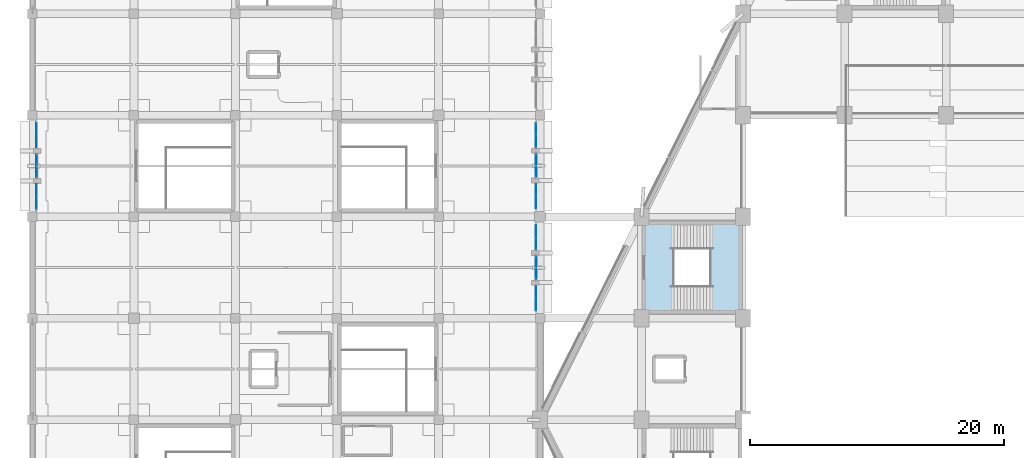
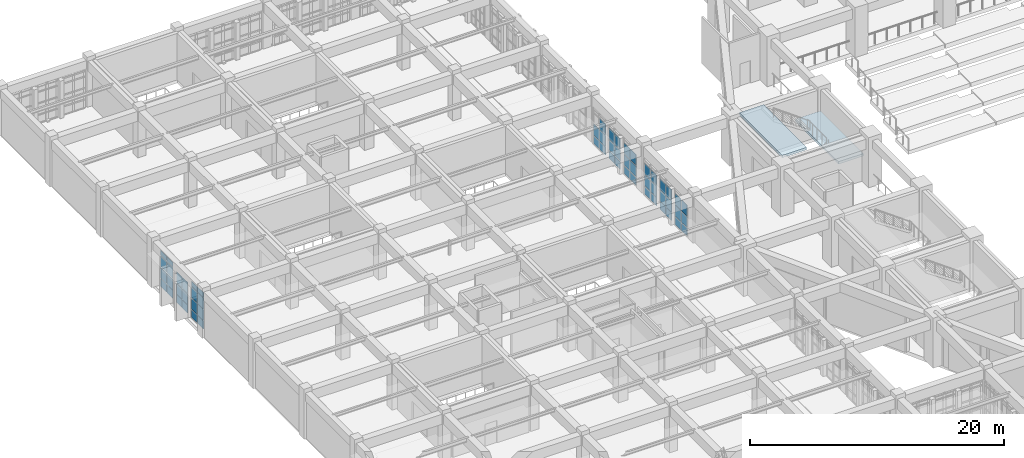
# One storey, part 99 of 155: 57 plates, 2 slabs, 10 elements without a shape of their own.
"""IFC4 building model written with IfcOpenShell, lengths in metres."""

from ifc_helpers import new_model, si_unit, direction, frame, origin, origin_2d, place, context, subcontext, project, spatial, polyline, rectangle, outline, extrude, material, layer, layer_set, type_object, element, aggregate, save


model = new_model("IFC4")

# Units and contexts
model_context = context("Model", 3, precision=1e-05, world=origin(), true_north=direction((0.0, 1.0)))
body_context = subcontext(model_context, "Body", "Model", "MODEL_VIEW")
ifc_project = project(units=[si_unit("LENGTHUNIT", "METRE"), si_unit("AREAUNIT", "SQUARE_METRE"), si_unit("VOLUMEUNIT", "CUBIC_METRE"), si_unit("PLANEANGLEUNIT", "RADIAN"), si_unit("MASSUNIT", "GRAM", prefix="KILO")], contexts=[model_context])

# Site, building, storey
site_placement = place(None, origin())
site = spatial("IfcSite", under=ifc_project, at=site_placement, CompositionType="ELEMENT")
building_placement = place(site_placement, origin())
building = spatial("IfcBuilding", under=site, at=building_placement, Name="Tazarka Park Arena", CompositionType="ELEMENT")
storey_placement = place(building_placement, frame((0.0, 0.0, 5.39990234375)))
storey = spatial("IfcBuildingStorey", under=building, at=storey_placement, Name="L01", CompositionType="ELEMENT", Elevation=5.39990234375)

# Curtain wall, plates
ifc_material_1 = material(Name="Aluminium and low-e glass", Category="aluminium")
ifc_layer_1 = layer(ifc_material_1, 0.179931640625, Name="Aluminium and low-e glass")
ifc_layer_set_1 = layer_set([ifc_layer_1], Name="Aluminium and low-e glass")
curtain_wall_type_1 = type_object("IfcCurtainWallType", Name="CW-21", PredefinedType="NOTDEFINED", material=ifc_layer_set_1)
curtain_wall_1_placement = place(storey_placement, origin())
curtain_wall_1 = element("IfcCurtainWall", 1, at=curtain_wall_1_placement, inside=storey, type_object=curtain_wall_type_1, Name="Curtain Wall CWA-L01-111", PredefinedType="NOTDEFINED")
ifc_material_2 = material(Name="Double low-e insulated glazing", Category="glass")
ifc_layer_2 = layer(ifc_material_2, 0.028076171875, Name="Double low-e insulated glazing")
ifc_layer_set_2 = layer_set([ifc_layer_2], Name="Double low-e insulated glazing")
plate_type_1 = type_object("IfcPlateType", Name="CWP-01", PredefinedType="CURTAIN_PANEL", material=ifc_layer_set_2)
plate_1_placement = place(storey_placement, frame((39.679931640625, 74.066162109375, 0.065185546875), z_axis=(0.0, 0.0, 1.0), x_axis=(0.0, -1.0, 0.0)))
plate_1 = element("IfcPlate", 2, at=plate_1_placement, type_object=plate_type_1, Name="CW-21 panel 1.1", PredefinedType="CURTAIN_PANEL", context=body_context, shape_type="SweptSolid", body=[
    extrude(rectangle(XDim=0.9208984375, YDim=0.028076171875, at=origin_2d()), origin(), (0.0, 0.0, 1.0), 0.75244140625),
])
plate_2_placement = place(storey_placement, frame((39.679931640625, 74.066162109375, 0.8828125), z_axis=(0.0, 0.0, 1.0), x_axis=(0.0, -1.0, 0.0)))
plate_2 = element("IfcPlate", 3, at=plate_2_placement, type_object=plate_type_1, Name="CW-21 panel 1.2", PredefinedType="CURTAIN_PANEL", context=body_context, shape_type="SweptSolid", body=[
    extrude(rectangle(XDim=0.9208984375, YDim=0.028076171875, at=origin_2d()), origin(), (0.0, 0.0, 1.0), 1.034912109375),
])
plate_3_placement = place(storey_placement, frame((39.679931640625, 74.066162109375, 1.982421875), z_axis=(0.0, 0.0, 1.0), x_axis=(0.0, -1.0, 0.0)))
plate_3 = element("IfcPlate", 4, at=plate_3_placement, type_object=plate_type_1, Name="CW-21 panel 1.3", PredefinedType="CURTAIN_PANEL", context=body_context, shape_type="SweptSolid", body=[
    extrude(rectangle(XDim=0.9208984375, YDim=0.028076171875, at=origin_2d()), origin(), (0.0, 0.0, 1.0), 1.034912109375),
])
plate_4_placement = place(storey_placement, frame((39.679931640625, 73.080322265625, 0.065185546875), z_axis=(0.0, 0.0, 1.0), x_axis=(0.0, -1.0, 0.0)))
plate_4 = element("IfcPlate", 5, at=plate_4_placement, type_object=plate_type_1, Name="CW-21 panel 2.1", PredefinedType="CURTAIN_PANEL", context=body_context, shape_type="SweptSolid", body=[
    extrude(rectangle(XDim=0.9208984375, YDim=0.028076171875, at=origin_2d()), origin(), (0.0, 0.0, 1.0), 0.75244140625),
])
plate_5_placement = place(storey_placement, frame((39.679931640625, 73.080322265625, 0.8828125), z_axis=(0.0, 0.0, 1.0), x_axis=(0.0, -1.0, 0.0)))
plate_5 = element("IfcPlate", 6, at=plate_5_placement, type_object=plate_type_1, Name="CW-21 panel 2.2", PredefinedType="CURTAIN_PANEL", context=body_context, shape_type="SweptSolid", body=[
    extrude(rectangle(XDim=0.9208984375, YDim=0.028076171875, at=origin_2d()), origin(), (0.0, 0.0, 1.0), 1.034912109375),
])
plate_6_placement = place(storey_placement, frame((39.679931640625, 73.080322265625, 1.982421875), z_axis=(0.0, 0.0, 1.0), x_axis=(0.0, -1.0, 0.0)))
plate_6 = element("IfcPlate", 7, at=plate_6_placement, type_object=plate_type_1, Name="CW-21 panel 2.3", PredefinedType="CURTAIN_PANEL", context=body_context, shape_type="SweptSolid", body=[
    extrude(rectangle(XDim=0.9208984375, YDim=0.028076171875, at=origin_2d()), origin(), (0.0, 0.0, 1.0), 1.034912109375),
])
aggregate(curtain_wall_1, [plate_1, plate_2, plate_3, plate_4, plate_5, plate_6])

ifc_material_3 = material(Name="Aluminium and low-e glass", Category="aluminium")
ifc_layer_3 = layer(ifc_material_3, 0.179931640625, Name="Aluminium and low-e glass")
ifc_layer_set_3 = layer_set([ifc_layer_3], Name="Aluminium and low-e glass")
curtain_wall_type_2 = type_object("IfcCurtainWallType", Name="CW-24", PredefinedType="NOTDEFINED", material=ifc_layer_set_3)
curtain_wall_2_placement = place(storey_placement, origin())
curtain_wall_2 = element("IfcCurtainWall", 8, at=curtain_wall_2_placement, inside=storey, type_object=curtain_wall_type_2, Name="Curtain Wall CWA-L01-114", PredefinedType="NOTDEFINED")
plate_7_placement = place(storey_placement, frame((39.679931640625, 82.1162109375, 0.065185546875), z_axis=(0.0, 0.0, 1.0), x_axis=(0.0, -1.0, 0.0)))
plate_7 = element("IfcPlate", 9, at=plate_7_placement, type_object=plate_type_1, Name="CW-24 panel 1.1", PredefinedType="CURTAIN_PANEL", context=body_context, shape_type="SweptSolid", body=[
    extrude(rectangle(XDim=0.9208984375, YDim=0.028076171875, at=origin_2d()), origin(), (0.0, 0.0, 1.0), 0.75244140625),
])
plate_8_placement = place(storey_placement, frame((39.679931640625, 82.1162109375, 0.8828125), z_axis=(0.0, 0.0, 1.0), x_axis=(0.0, -1.0, 0.0)))
plate_8 = element("IfcPlate", 10, at=plate_8_placement, type_object=plate_type_1, Name="CW-24 panel 1.2", PredefinedType="CURTAIN_PANEL", context=body_context, shape_type="SweptSolid", body=[
    extrude(rectangle(XDim=0.9208984375, YDim=0.028076171875, at=origin_2d()), origin(), (0.0, 0.0, 1.0), 1.034912109375),
])
plate_9_placement = place(storey_placement, frame((39.679931640625, 82.1162109375, 1.982421875), z_axis=(0.0, 0.0, 1.0), x_axis=(0.0, -1.0, 0.0)))
plate_9 = element("IfcPlate", 11, at=plate_9_placement, type_object=plate_type_1, Name="CW-24 panel 1.3", PredefinedType="CURTAIN_PANEL", context=body_context, shape_type="SweptSolid", body=[
    extrude(rectangle(XDim=0.9208984375, YDim=0.028076171875, at=origin_2d()), origin(), (0.0, 0.0, 1.0), 1.034912109375),
])
plate_10_placement = place(storey_placement, frame((39.679931640625, 81.13037109375, 0.065185546875), z_axis=(0.0, 0.0, 1.0), x_axis=(0.0, -1.0, 0.0)))
plate_10 = element("IfcPlate", 12, at=plate_10_placement, type_object=plate_type_1, Name="CW-24 panel 2.1", PredefinedType="CURTAIN_PANEL", context=body_context, shape_type="SweptSolid", body=[
    extrude(rectangle(XDim=0.9208984375, YDim=0.028076171875, at=origin_2d()), origin(), (0.0, 0.0, 1.0), 0.75244140625),
])
plate_11_placement = place(storey_placement, frame((39.679931640625, 81.13037109375, 0.8828125), z_axis=(0.0, 0.0, 1.0), x_axis=(0.0, -1.0, 0.0)))
plate_11 = element("IfcPlate", 13, at=plate_11_placement, type_object=plate_type_1, Name="CW-24 panel 2.2", PredefinedType="CURTAIN_PANEL", context=body_context, shape_type="SweptSolid", body=[
    extrude(rectangle(XDim=0.9208984375, YDim=0.028076171875, at=origin_2d()), origin(), (0.0, 0.0, 1.0), 1.034912109375),
])
plate_12_placement = place(storey_placement, frame((39.679931640625, 81.13037109375, 1.982421875), z_axis=(0.0, 0.0, 1.0), x_axis=(0.0, -1.0, 0.0)))
plate_12 = element("IfcPlate", 14, at=plate_12_placement, type_object=plate_type_1, Name="CW-24 panel 2.3", PredefinedType="CURTAIN_PANEL", context=body_context, shape_type="SweptSolid", body=[
    extrude(rectangle(XDim=0.9208984375, YDim=0.028076171875, at=origin_2d()), origin(), (0.0, 0.0, 1.0), 1.034912109375),
])
aggregate(curtain_wall_2, [plate_7, plate_8, plate_9, plate_10, plate_11, plate_12])

ifc_material_4 = material(Name="Aluminium and low-e glass", Category="aluminium")
ifc_layer_4 = layer(ifc_material_4, 0.179931640625, Name="Aluminium and low-e glass")
ifc_layer_set_4 = layer_set([ifc_layer_4], Name="Aluminium and low-e glass")
curtain_wall_type_3 = type_object("IfcCurtainWallType", Name="CW-18", PredefinedType="NOTDEFINED", material=ifc_layer_set_4)
curtain_wall_3_placement = place(storey_placement, origin())
curtain_wall_3 = element("IfcCurtainWall", 15, at=curtain_wall_3_placement, inside=storey, type_object=curtain_wall_type_3, Name="Curtain Wall CWA-L01-138", PredefinedType="NOTDEFINED")
plate_13_placement = place(storey_placement, frame((0.320068359375, 85.92138671875, 0.065185546875), z_axis=(0.0, 0.0, 1.0), x_axis=(0.0, 1.0, 0.0)))
plate_13 = element("IfcPlate", 16, at=plate_13_placement, type_object=plate_type_1, Name="CW-18 panel 1.1", PredefinedType="CURTAIN_PANEL", context=body_context, shape_type="SweptSolid", body=[
    extrude(rectangle(XDim=0.92919921875, YDim=0.028076171875, at=origin_2d()), origin(), (0.0, 0.0, 1.0), 0.75244140625),
])
plate_14_placement = place(storey_placement, frame((0.320068359375, 85.92138671875, 0.8828125), z_axis=(0.0, 0.0, 1.0), x_axis=(0.0, 1.0, 0.0)))
plate_14 = element("IfcPlate", 17, at=plate_14_placement, type_object=plate_type_1, Name="CW-18 panel 1.2", PredefinedType="CURTAIN_PANEL", context=body_context, shape_type="SweptSolid", body=[
    extrude(rectangle(XDim=0.92919921875, YDim=0.028076171875, at=origin_2d()), origin(), (0.0, 0.0, 1.0), 1.034912109375),
])
plate_15_placement = place(storey_placement, frame((0.320068359375, 85.92138671875, 1.982421875), z_axis=(0.0, 0.0, 1.0), x_axis=(0.0, 1.0, 0.0)))
plate_15 = element("IfcPlate", 18, at=plate_15_placement, type_object=plate_type_1, Name="CW-18 panel 1.3", PredefinedType="CURTAIN_PANEL", context=body_context, shape_type="SweptSolid", body=[
    extrude(rectangle(XDim=0.92919921875, YDim=0.028076171875, at=origin_2d()), origin(), (0.0, 0.0, 1.0), 1.034912109375),
])
plate_16_placement = place(storey_placement, frame((0.320068359375, 85.92138671875, 3.08251953125), z_axis=(0.0, 0.0, 1.0), x_axis=(0.0, 1.0, 0.0)))
plate_16 = element("IfcPlate", 19, at=plate_16_placement, type_object=plate_type_1, Name="CW-18 panel 1.4", PredefinedType="CURTAIN_PANEL", context=body_context, shape_type="SweptSolid", body=[
    extrude(rectangle(XDim=0.92919921875, YDim=0.028076171875, at=origin_2d()), origin(), (0.0, 0.0, 1.0), 0.452392578125),
])
plate_17_placement = place(storey_placement, frame((0.320068359375, 86.91552734375, 0.065185546875), z_axis=(0.0, 0.0, 1.0), x_axis=(0.0, 1.0, 0.0)))
plate_17 = element("IfcPlate", 20, at=plate_17_placement, type_object=plate_type_1, Name="CW-18 panel 2.1", PredefinedType="CURTAIN_PANEL", context=body_context, shape_type="SweptSolid", body=[
    extrude(rectangle(XDim=0.92919921875, YDim=0.028076171875, at=origin_2d()), origin(), (0.0, 0.0, 1.0), 0.75244140625),
])
plate_18_placement = place(storey_placement, frame((0.320068359375, 86.91552734375, 0.8828125), z_axis=(0.0, 0.0, 1.0), x_axis=(0.0, 1.0, 0.0)))
plate_18 = element("IfcPlate", 21, at=plate_18_placement, type_object=plate_type_1, Name="CW-18 panel 2.2", PredefinedType="CURTAIN_PANEL", context=body_context, shape_type="SweptSolid", body=[
    extrude(rectangle(XDim=0.92919921875, YDim=0.028076171875, at=origin_2d()), origin(), (0.0, 0.0, 1.0), 1.034912109375),
])
plate_19_placement = place(storey_placement, frame((0.320068359375, 86.91552734375, 1.982421875), z_axis=(0.0, 0.0, 1.0), x_axis=(0.0, 1.0, 0.0)))
plate_19 = element("IfcPlate", 22, at=plate_19_placement, type_object=plate_type_1, Name="CW-18 panel 2.3", PredefinedType="CURTAIN_PANEL", context=body_context, shape_type="SweptSolid", body=[
    extrude(rectangle(XDim=0.92919921875, YDim=0.028076171875, at=origin_2d()), origin(), (0.0, 0.0, 1.0), 1.034912109375),
])
plate_20_placement = place(storey_placement, frame((0.320068359375, 86.91552734375, 3.08251953125), z_axis=(0.0, 0.0, 1.0), x_axis=(0.0, 1.0, 0.0)))
plate_20 = element("IfcPlate", 23, at=plate_20_placement, type_object=plate_type_1, Name="CW-18 panel 2.4", PredefinedType="CURTAIN_PANEL", context=body_context, shape_type="SweptSolid", body=[
    extrude(rectangle(XDim=0.92919921875, YDim=0.028076171875, at=origin_2d()), origin(), (0.0, 0.0, 1.0), 0.452392578125),
])
aggregate(curtain_wall_3, [plate_13, plate_14, plate_15, plate_16, plate_17, plate_18, plate_19, plate_20])

ifc_material_5 = material(Name="Aluminium and low-e glass", Category="aluminium")
ifc_layer_5 = layer(ifc_material_5, 0.179931640625, Name="Aluminium and low-e glass")
ifc_layer_set_5 = layer_set([ifc_layer_5], Name="Aluminium and low-e glass")
curtain_wall_type_4 = type_object("IfcCurtainWallType", Name="CW-19", PredefinedType="NOTDEFINED", material=ifc_layer_set_5)
curtain_wall_4_placement = place(storey_placement, origin())
curtain_wall_4 = element("IfcCurtainWall", 24, at=curtain_wall_4_placement, inside=storey, type_object=curtain_wall_type_4, Name="Curtain Wall CWA-L01-109", PredefinedType="NOTDEFINED")
ifc_material_6 = material(Name="Triple acoustic solar glazing", Category="glass")
ifc_layer_6 = layer(ifc_material_6, 0.031982421875, Name="Triple acoustic solar glazing")
ifc_layer_set_6 = layer_set([ifc_layer_6], Name="Triple acoustic solar glazing")
plate_type_2 = type_object("IfcPlateType", Name="CWP-02", PredefinedType="CURTAIN_PANEL", material=ifc_layer_set_6)
plate_21_placement = place(storey_placement, frame((39.679931640625, 78.86962890625, 0.065185546875), z_axis=(0.0, 0.0, 1.0), x_axis=(0.0, -1.0, 0.0)))
plate_21 = element("IfcPlate", 25, at=plate_21_placement, type_object=plate_type_2, Name="CW-19 panel 1.1", PredefinedType="CURTAIN_PANEL", context=body_context, shape_type="SweptSolid", body=[
    extrude(rectangle(XDim=0.9208984375, YDim=0.031982421875, at=origin_2d()), origin(), (0.0, 0.0, 1.0), 0.75244140625),
])
plate_22_placement = place(storey_placement, frame((39.679931640625, 78.86962890625, 0.8828125), z_axis=(0.0, 0.0, 1.0), x_axis=(0.0, -1.0, 0.0)))
plate_22 = element("IfcPlate", 26, at=plate_22_placement, type_object=plate_type_2, Name="CW-19 panel 1.2", PredefinedType="CURTAIN_PANEL", context=body_context, shape_type="SweptSolid", body=[
    extrude(rectangle(XDim=0.9208984375, YDim=0.031982421875, at=origin_2d()), origin(), (0.0, 0.0, 1.0), 1.034912109375),
])
plate_23_placement = place(storey_placement, frame((39.679931640625, 78.86962890625, 1.982421875), z_axis=(0.0, 0.0, 1.0), x_axis=(0.0, -1.0, 0.0)))
plate_23 = element("IfcPlate", 27, at=plate_23_placement, type_object=plate_type_2, Name="CW-19 panel 1.3", PredefinedType="CURTAIN_PANEL", context=body_context, shape_type="SweptSolid", body=[
    extrude(rectangle(XDim=0.9208984375, YDim=0.031982421875, at=origin_2d()), origin(), (0.0, 0.0, 1.0), 1.034912109375),
])
plate_24_placement = place(storey_placement, frame((39.679931640625, 77.8837890625, 0.065185546875), z_axis=(0.0, 0.0, 1.0), x_axis=(0.0, -1.0, 0.0)))
plate_24 = element("IfcPlate", 28, at=plate_24_placement, type_object=plate_type_2, Name="CW-19 panel 2.1", PredefinedType="CURTAIN_PANEL", context=body_context, shape_type="SweptSolid", body=[
    extrude(rectangle(XDim=0.9208984375, YDim=0.031982421875, at=origin_2d()), origin(), (0.0, 0.0, 1.0), 0.75244140625),
])
plate_25_placement = place(storey_placement, frame((39.679931640625, 77.8837890625, 0.8828125), z_axis=(0.0, 0.0, 1.0), x_axis=(0.0, -1.0, 0.0)))
plate_25 = element("IfcPlate", 29, at=plate_25_placement, type_object=plate_type_2, Name="CW-19 panel 2.2", PredefinedType="CURTAIN_PANEL", context=body_context, shape_type="SweptSolid", body=[
    extrude(rectangle(XDim=0.9208984375, YDim=0.031982421875, at=origin_2d()), origin(), (0.0, 0.0, 1.0), 1.034912109375),
])
plate_26_placement = place(storey_placement, frame((39.679931640625, 77.8837890625, 1.982421875), z_axis=(0.0, 0.0, 1.0), x_axis=(0.0, -1.0, 0.0)))
plate_26 = element("IfcPlate", 30, at=plate_26_placement, type_object=plate_type_2, Name="CW-19 panel 2.3", PredefinedType="CURTAIN_PANEL", context=body_context, shape_type="SweptSolid", body=[
    extrude(rectangle(XDim=0.9208984375, YDim=0.031982421875, at=origin_2d()), origin(), (0.0, 0.0, 1.0), 1.034912109375),
])
aggregate(curtain_wall_4, [plate_21, plate_22, plate_23, plate_24, plate_25, plate_26])

ifc_material_7 = material(Name="Aluminium and low-e glass", Category="aluminium")
ifc_layer_7 = layer(ifc_material_7, 0.179931640625, Name="Aluminium and low-e glass")
ifc_layer_set_7 = layer_set([ifc_layer_7], Name="Aluminium and low-e glass")
curtain_wall_type_5 = type_object("IfcCurtainWallType", Name="CW-22", PredefinedType="NOTDEFINED", material=ifc_layer_set_7)
curtain_wall_5_placement = place(storey_placement, origin())
curtain_wall_5 = element("IfcCurtainWall", 31, at=curtain_wall_5_placement, inside=storey, type_object=curtain_wall_type_5, Name="Curtain Wall CWA-L01-112", PredefinedType="NOTDEFINED")
plate_27_placement = place(storey_placement, frame((39.679931640625, 86.919677734375, 0.065185546875), z_axis=(0.0, 0.0, 1.0), x_axis=(0.0, -1.0, 0.0)))
plate_27 = element("IfcPlate", 32, at=plate_27_placement, type_object=plate_type_2, Name="CW-22 panel 1.1", PredefinedType="CURTAIN_PANEL", context=body_context, shape_type="SweptSolid", body=[
    extrude(rectangle(XDim=0.9208984375, YDim=0.031982421875, at=origin_2d()), origin(), (0.0, 0.0, 1.0), 0.75244140625),
])
plate_28_placement = place(storey_placement, frame((39.679931640625, 86.919677734375, 0.8828125), z_axis=(0.0, 0.0, 1.0), x_axis=(0.0, -1.0, 0.0)))
plate_28 = element("IfcPlate", 33, at=plate_28_placement, type_object=plate_type_2, Name="CW-22 panel 1.2", PredefinedType="CURTAIN_PANEL", context=body_context, shape_type="SweptSolid", body=[
    extrude(rectangle(XDim=0.9208984375, YDim=0.031982421875, at=origin_2d()), origin(), (0.0, 0.0, 1.0), 1.034912109375),
])
plate_29_placement = place(storey_placement, frame((39.679931640625, 85.933837890625, 0.065185546875), z_axis=(0.0, 0.0, 1.0), x_axis=(0.0, -1.0, 0.0)))
plate_29 = element("IfcPlate", 34, at=plate_29_placement, type_object=plate_type_2, Name="CW-22 panel 2.1", PredefinedType="CURTAIN_PANEL", context=body_context, shape_type="SweptSolid", body=[
    extrude(rectangle(XDim=0.9208984375, YDim=0.031982421875, at=origin_2d()), origin(), (0.0, 0.0, 1.0), 0.75244140625),
])
plate_30_placement = place(storey_placement, frame((39.679931640625, 85.933837890625, 0.8828125), z_axis=(0.0, 0.0, 1.0), x_axis=(0.0, -1.0, 0.0)))
plate_30 = element("IfcPlate", 35, at=plate_30_placement, type_object=plate_type_2, Name="CW-22 panel 2.2", PredefinedType="CURTAIN_PANEL", context=body_context, shape_type="SweptSolid", body=[
    extrude(rectangle(XDim=0.9208984375, YDim=0.031982421875, at=origin_2d()), origin(), (0.0, 0.0, 1.0), 1.034912109375),
])
plate_31_placement = place(storey_placement, frame((39.679931640625, 85.933837890625, 1.982421875), z_axis=(0.0, 0.0, 1.0), x_axis=(0.0, -1.0, 0.0)))
plate_31 = element("IfcPlate", 36, at=plate_31_placement, type_object=plate_type_2, Name="CW-22 panel 2.3", PredefinedType="CURTAIN_PANEL", context=body_context, shape_type="SweptSolid", body=[
    extrude(rectangle(XDim=0.9208984375, YDim=0.031982421875, at=origin_2d()), origin(), (0.0, 0.0, 1.0), 1.034912109375),
])
aggregate(curtain_wall_5, [plate_27, plate_28, plate_29, plate_30, plate_31])

ifc_material_8 = material(Name="Aluminium and low-e glass", Category="aluminium")
ifc_layer_8 = layer(ifc_material_8, 0.179931640625, Name="Aluminium and low-e glass")
ifc_layer_set_8 = layer_set([ifc_layer_8], Name="Aluminium and low-e glass")
curtain_wall_type_6 = type_object("IfcCurtainWallType", Name="CW-16", PredefinedType="NOTDEFINED", material=ifc_layer_set_8)
curtain_wall_6_placement = place(storey_placement, origin())
curtain_wall_6 = element("IfcCurtainWall", 37, at=curtain_wall_6_placement, inside=storey, type_object=curtain_wall_type_6, Name="Curtain Wall CWA-L01-136", PredefinedType="NOTDEFINED")
plate_32_placement = place(storey_placement, frame((0.320068359375, 81.08447265625, 0.065185546875), z_axis=(0.0, 0.0, 1.0), x_axis=(0.0, 1.0, 0.0)))
plate_32 = element("IfcPlate", 38, at=plate_32_placement, type_object=plate_type_2, Name="CW-16 panel 1.1", PredefinedType="CURTAIN_PANEL", context=body_context, shape_type="SweptSolid", body=[
    extrude(rectangle(XDim=0.92919921875, YDim=0.031982421875, at=origin_2d()), origin(), (0.0, 0.0, 1.0), 0.75244140625),
])
plate_33_placement = place(storey_placement, frame((0.320068359375, 81.08447265625, 0.8828125), z_axis=(0.0, 0.0, 1.0), x_axis=(0.0, 1.0, 0.0)))
plate_33 = element("IfcPlate", 39, at=plate_33_placement, type_object=plate_type_2, Name="CW-16 panel 1.2", PredefinedType="CURTAIN_PANEL", context=body_context, shape_type="SweptSolid", body=[
    extrude(rectangle(XDim=0.92919921875, YDim=0.031982421875, at=origin_2d()), origin(), (0.0, 0.0, 1.0), 1.034912109375),
])
plate_34_placement = place(storey_placement, frame((0.320068359375, 81.08447265625, 1.982421875), z_axis=(0.0, 0.0, 1.0), x_axis=(0.0, 1.0, 0.0)))
plate_34 = element("IfcPlate", 40, at=plate_34_placement, type_object=plate_type_2, Name="CW-16 panel 1.3", PredefinedType="CURTAIN_PANEL", context=body_context, shape_type="SweptSolid", body=[
    extrude(rectangle(XDim=0.92919921875, YDim=0.031982421875, at=origin_2d()), origin(), (0.0, 0.0, 1.0), 1.034912109375),
])
plate_35_placement = place(storey_placement, frame((0.320068359375, 81.08447265625, 3.08251953125), z_axis=(0.0, 0.0, 1.0), x_axis=(0.0, 1.0, 0.0)))
plate_35 = element("IfcPlate", 41, at=plate_35_placement, type_object=plate_type_2, Name="CW-16 panel 1.4", PredefinedType="CURTAIN_PANEL", context=body_context, shape_type="SweptSolid", body=[
    extrude(rectangle(XDim=0.92919921875, YDim=0.031982421875, at=origin_2d()), origin(), (0.0, 0.0, 1.0), 0.452392578125),
])
plate_36_placement = place(storey_placement, frame((0.320068359375, 82.07861328125, 0.065185546875), z_axis=(0.0, 0.0, 1.0), x_axis=(0.0, 1.0, 0.0)))
plate_36 = element("IfcPlate", 42, at=plate_36_placement, type_object=plate_type_2, Name="CW-16 panel 2.1", PredefinedType="CURTAIN_PANEL", context=body_context, shape_type="SweptSolid", body=[
    extrude(rectangle(XDim=0.92919921875, YDim=0.031982421875, at=origin_2d()), origin(), (0.0, 0.0, 1.0), 0.75244140625),
])
plate_37_placement = place(storey_placement, frame((0.320068359375, 82.07861328125, 0.8828125), z_axis=(0.0, 0.0, 1.0), x_axis=(0.0, 1.0, 0.0)))
plate_37 = element("IfcPlate", 43, at=plate_37_placement, type_object=plate_type_2, Name="CW-16 panel 2.2", PredefinedType="CURTAIN_PANEL", context=body_context, shape_type="SweptSolid", body=[
    extrude(rectangle(XDim=0.92919921875, YDim=0.031982421875, at=origin_2d()), origin(), (0.0, 0.0, 1.0), 1.034912109375),
])
plate_38_placement = place(storey_placement, frame((0.320068359375, 82.07861328125, 1.982421875), z_axis=(0.0, 0.0, 1.0), x_axis=(0.0, 1.0, 0.0)))
plate_38 = element("IfcPlate", 44, at=plate_38_placement, type_object=plate_type_2, Name="CW-16 panel 2.3", PredefinedType="CURTAIN_PANEL", context=body_context, shape_type="SweptSolid", body=[
    extrude(rectangle(XDim=0.92919921875, YDim=0.031982421875, at=origin_2d()), origin(), (0.0, 0.0, 1.0), 1.034912109375),
])
plate_39_placement = place(storey_placement, frame((0.320068359375, 82.07861328125, 3.08251953125), z_axis=(0.0, 0.0, 1.0), x_axis=(0.0, 1.0, 0.0)))
plate_39 = element("IfcPlate", 45, at=plate_39_placement, type_object=plate_type_2, Name="CW-16 panel 2.4", PredefinedType="CURTAIN_PANEL", context=body_context, shape_type="SweptSolid", body=[
    extrude(rectangle(XDim=0.92919921875, YDim=0.031982421875, at=origin_2d()), origin(), (0.0, 0.0, 1.0), 0.452392578125),
])
aggregate(curtain_wall_6, [plate_32, plate_33, plate_34, plate_35, plate_36, plate_37, plate_38, plate_39])

ifc_material_9 = material(Name="Aluminium and low-e glass", Category="aluminium")
ifc_layer_9 = layer(ifc_material_9, 0.179931640625, Name="Aluminium and low-e glass")
ifc_layer_set_9 = layer_set([ifc_layer_9], Name="Aluminium and low-e glass")
curtain_wall_type_7 = type_object("IfcCurtainWallType", Name="CW-20", PredefinedType="NOTDEFINED", material=ifc_layer_set_9)
curtain_wall_7_placement = place(storey_placement, origin())
curtain_wall_7 = element("IfcCurtainWall", 46, at=curtain_wall_7_placement, inside=storey, type_object=curtain_wall_type_7, Name="Curtain Wall CWA-L01-110", PredefinedType="NOTDEFINED")
ifc_material_10 = material(Name="Insulated aluminium spandrel panel", Category="aluminium")
ifc_layer_10 = layer(ifc_material_10, 0.035888671875, Name="Insulated aluminium spandrel panel")
ifc_layer_set_10 = layer_set([ifc_layer_10], Name="Insulated aluminium spandrel panel")
plate_type_3 = type_object("IfcPlateType", Name="CWP-03", PredefinedType="CURTAIN_PANEL", material=ifc_layer_set_10)
plate_40_placement = place(storey_placement, frame((39.679931640625, 76.43798828125, 0.0751953125), z_axis=(0.0, 0.0, 1.0), x_axis=(0.0, -1.0, 0.0)))
plate_40 = element("IfcPlate", 47, at=plate_40_placement, type_object=plate_type_3, Name="CW-20 panel 1.1", PredefinedType="CURTAIN_PANEL", context=body_context, shape_type="SweptSolid", body=[
    extrude(rectangle(XDim=0.850830078125, YDim=0.035888671875, at=origin_2d()), origin(), (0.0, 0.0, 1.0), 0.737548828125),
])
plate_41_placement = place(storey_placement, frame((39.679931640625, 76.43798828125, 0.8876953125), z_axis=(0.0, 0.0, 1.0), x_axis=(0.0, -1.0, 0.0)))
plate_41 = element("IfcPlate", 48, at=plate_41_placement, type_object=plate_type_3, Name="CW-20 panel 1.2", PredefinedType="CURTAIN_PANEL", context=body_context, shape_type="SweptSolid", body=[
    extrude(rectangle(XDim=0.850830078125, YDim=0.035888671875, at=origin_2d()), origin(), (0.0, 0.0, 1.0), 1.02490234375),
])
plate_42_placement = place(storey_placement, frame((39.679931640625, 76.43798828125, 1.987548828125), z_axis=(0.0, 0.0, 1.0), x_axis=(0.0, -1.0, 0.0)))
plate_42 = element("IfcPlate", 49, at=plate_42_placement, type_object=plate_type_3, Name="CW-20 panel 1.3", PredefinedType="CURTAIN_PANEL", context=body_context, shape_type="SweptSolid", body=[
    extrude(rectangle(XDim=0.850830078125, YDim=0.035888671875, at=origin_2d()), origin(), (0.0, 0.0, 1.0), 1.02490234375),
])
plate_43_placement = place(storey_placement, frame((39.679931640625, 75.51220703125, 0.0751953125), z_axis=(0.0, 0.0, 1.0), x_axis=(0.0, -1.0, 0.0)))
plate_43 = element("IfcPlate", 50, at=plate_43_placement, type_object=plate_type_3, Name="CW-20 panel 2.1", PredefinedType="CURTAIN_PANEL", context=body_context, shape_type="SweptSolid", body=[
    extrude(rectangle(XDim=0.850830078125, YDim=0.035888671875, at=origin_2d()), origin(), (0.0, 0.0, 1.0), 0.737548828125),
])
plate_44_placement = place(storey_placement, frame((39.679931640625, 75.51220703125, 0.8876953125), z_axis=(0.0, 0.0, 1.0), x_axis=(0.0, -1.0, 0.0)))
plate_44 = element("IfcPlate", 51, at=plate_44_placement, type_object=plate_type_3, Name="CW-20 panel 2.2", PredefinedType="CURTAIN_PANEL", context=body_context, shape_type="SweptSolid", body=[
    extrude(rectangle(XDim=0.850830078125, YDim=0.035888671875, at=origin_2d()), origin(), (0.0, 0.0, 1.0), 1.02490234375),
])
plate_45_placement = place(storey_placement, frame((39.679931640625, 75.51220703125, 1.987548828125), z_axis=(0.0, 0.0, 1.0), x_axis=(0.0, -1.0, 0.0)))
plate_45 = element("IfcPlate", 52, at=plate_45_placement, type_object=plate_type_3, Name="CW-20 panel 2.3", PredefinedType="CURTAIN_PANEL", context=body_context, shape_type="SweptSolid", body=[
    extrude(rectangle(XDim=0.850830078125, YDim=0.035888671875, at=origin_2d()), origin(), (0.0, 0.0, 1.0), 1.02490234375),
])
aggregate(curtain_wall_7, [plate_40, plate_41, plate_42, plate_43, plate_44, plate_45])

ifc_material_11 = material(Name="Aluminium and low-e glass", Category="aluminium")
ifc_layer_11 = layer(ifc_material_11, 0.179931640625, Name="Aluminium and low-e glass")
ifc_layer_set_11 = layer_set([ifc_layer_11], Name="Aluminium and low-e glass")
curtain_wall_type_8 = type_object("IfcCurtainWallType", Name="CW-23", PredefinedType="NOTDEFINED", material=ifc_layer_set_11)
curtain_wall_8_placement = place(storey_placement, origin())
curtain_wall_8 = element("IfcCurtainWall", 53, at=curtain_wall_8_placement, inside=storey, type_object=curtain_wall_type_8, Name="Curtain Wall CWA-L01-113", PredefinedType="NOTDEFINED")
plate_46_placement = place(storey_placement, frame((39.679931640625, 84.48779296875, 0.0751953125), z_axis=(0.0, 0.0, 1.0), x_axis=(0.0, -1.0, 0.0)))
plate_46 = element("IfcPlate", 54, at=plate_46_placement, type_object=plate_type_3, Name="CW-23 panel 1.1", PredefinedType="CURTAIN_PANEL", context=body_context, shape_type="SweptSolid", body=[
    extrude(rectangle(XDim=0.850830078125, YDim=0.035888671875, at=origin_2d()), origin(), (0.0, 0.0, 1.0), 0.737548828125),
])
plate_47_placement = place(storey_placement, frame((39.679931640625, 84.48779296875, 0.8876953125), z_axis=(0.0, 0.0, 1.0), x_axis=(0.0, -1.0, 0.0)))
plate_47 = element("IfcPlate", 55, at=plate_47_placement, type_object=plate_type_3, Name="CW-23 panel 1.2", PredefinedType="CURTAIN_PANEL", context=body_context, shape_type="SweptSolid", body=[
    extrude(rectangle(XDim=0.850830078125, YDim=0.035888671875, at=origin_2d()), origin(), (0.0, 0.0, 1.0), 1.02490234375),
])
plate_48_placement = place(storey_placement, frame((39.679931640625, 84.48779296875, 1.987548828125), z_axis=(0.0, 0.0, 1.0), x_axis=(0.0, -1.0, 0.0)))
plate_48 = element("IfcPlate", 56, at=plate_48_placement, type_object=plate_type_3, Name="CW-23 panel 1.3", PredefinedType="CURTAIN_PANEL", context=body_context, shape_type="SweptSolid", body=[
    extrude(rectangle(XDim=0.850830078125, YDim=0.035888671875, at=origin_2d()), origin(), (0.0, 0.0, 1.0), 1.02490234375),
])
plate_49_placement = place(storey_placement, frame((39.679931640625, 83.56201171875, 0.0751953125), z_axis=(0.0, 0.0, 1.0), x_axis=(0.0, -1.0, 0.0)))
plate_49 = element("IfcPlate", 57, at=plate_49_placement, type_object=plate_type_3, Name="CW-23 panel 2.1", PredefinedType="CURTAIN_PANEL", context=body_context, shape_type="SweptSolid", body=[
    extrude(rectangle(XDim=0.850830078125, YDim=0.035888671875, at=origin_2d()), origin(), (0.0, 0.0, 1.0), 0.737548828125),
])
plate_50_placement = place(storey_placement, frame((39.679931640625, 83.56201171875, 0.8876953125), z_axis=(0.0, 0.0, 1.0), x_axis=(0.0, -1.0, 0.0)))
plate_50 = element("IfcPlate", 58, at=plate_50_placement, type_object=plate_type_3, Name="CW-23 panel 2.2", PredefinedType="CURTAIN_PANEL", context=body_context, shape_type="SweptSolid", body=[
    extrude(rectangle(XDim=0.850830078125, YDim=0.035888671875, at=origin_2d()), origin(), (0.0, 0.0, 1.0), 1.02490234375),
])
plate_51_placement = place(storey_placement, frame((39.679931640625, 83.56201171875, 1.987548828125), z_axis=(0.0, 0.0, 1.0), x_axis=(0.0, -1.0, 0.0)))
plate_51 = element("IfcPlate", 59, at=plate_51_placement, type_object=plate_type_3, Name="CW-23 panel 2.3", PredefinedType="CURTAIN_PANEL", context=body_context, shape_type="SweptSolid", body=[
    extrude(rectangle(XDim=0.850830078125, YDim=0.035888671875, at=origin_2d()), origin(), (0.0, 0.0, 1.0), 1.02490234375),
])
aggregate(curtain_wall_8, [plate_46, plate_47, plate_48, plate_49, plate_50, plate_51])

ifc_material_12 = material(Name="Aluminium and low-e glass", Category="aluminium")
ifc_layer_12 = layer(ifc_material_12, 0.179931640625, Name="Aluminium and low-e glass")
ifc_layer_set_12 = layer_set([ifc_layer_12], Name="Aluminium and low-e glass")
curtain_wall_type_9 = type_object("IfcCurtainWallType", Name="CW-17", PredefinedType="NOTDEFINED", material=ifc_layer_set_12)
curtain_wall_9_placement = place(storey_placement, origin())
curtain_wall_9 = element("IfcCurtainWall", 60, at=curtain_wall_9_placement, inside=storey, type_object=curtain_wall_type_9, Name="Curtain Wall CWA-L01-137", PredefinedType="NOTDEFINED")
plate_52_placement = place(storey_placement, frame((0.320068359375, 83.532958984375, 0.0751953125), z_axis=(0.0, 0.0, 1.0), x_axis=(0.0, 1.0, 0.0)))
plate_52 = element("IfcPlate", 61, at=plate_52_placement, type_object=plate_type_3, Name="CW-17 panel 1.1", PredefinedType="CURTAIN_PANEL", context=body_context, shape_type="SweptSolid", body=[
    extrude(rectangle(XDim=0.859130859375, YDim=0.035888671875, at=origin_2d()), origin(), (0.0, 0.0, 1.0), 0.737548828125),
])
plate_53_placement = place(storey_placement, frame((0.320068359375, 83.532958984375, 0.8876953125), z_axis=(0.0, 0.0, 1.0), x_axis=(0.0, 1.0, 0.0)))
plate_53 = element("IfcPlate", 62, at=plate_53_placement, type_object=plate_type_3, Name="CW-17 panel 1.2", PredefinedType="CURTAIN_PANEL", context=body_context, shape_type="SweptSolid", body=[
    extrude(rectangle(XDim=0.859130859375, YDim=0.035888671875, at=origin_2d()), origin(), (0.0, 0.0, 1.0), 1.02490234375),
])
plate_54_placement = place(storey_placement, frame((0.320068359375, 83.532958984375, 1.987548828125), z_axis=(0.0, 0.0, 1.0), x_axis=(0.0, 1.0, 0.0)))
plate_54 = element("IfcPlate", 63, at=plate_54_placement, type_object=plate_type_3, Name="CW-17 panel 1.3", PredefinedType="CURTAIN_PANEL", context=body_context, shape_type="SweptSolid", body=[
    extrude(rectangle(XDim=0.859130859375, YDim=0.035888671875, at=origin_2d()), origin(), (0.0, 0.0, 1.0), 1.02490234375),
])
plate_55_placement = place(storey_placement, frame((0.320068359375, 84.467041015625, 0.0751953125), z_axis=(0.0, 0.0, 1.0), x_axis=(0.0, 1.0, 0.0)))
plate_55 = element("IfcPlate", 64, at=plate_55_placement, type_object=plate_type_3, Name="CW-17 panel 2.1", PredefinedType="CURTAIN_PANEL", context=body_context, shape_type="SweptSolid", body=[
    extrude(rectangle(XDim=0.859130859375, YDim=0.035888671875, at=origin_2d()), origin(), (0.0, 0.0, 1.0), 0.737548828125),
])
plate_56_placement = place(storey_placement, frame((0.320068359375, 84.467041015625, 0.8876953125), z_axis=(0.0, 0.0, 1.0), x_axis=(0.0, 1.0, 0.0)))
plate_56 = element("IfcPlate", 65, at=plate_56_placement, type_object=plate_type_3, Name="CW-17 panel 2.2", PredefinedType="CURTAIN_PANEL", context=body_context, shape_type="SweptSolid", body=[
    extrude(rectangle(XDim=0.859130859375, YDim=0.035888671875, at=origin_2d()), origin(), (0.0, 0.0, 1.0), 1.02490234375),
])
plate_57_placement = place(storey_placement, frame((0.320068359375, 84.467041015625, 1.987548828125), z_axis=(0.0, 0.0, 1.0), x_axis=(0.0, 1.0, 0.0)))
plate_57 = element("IfcPlate", 66, at=plate_57_placement, type_object=plate_type_3, Name="CW-17 panel 2.3", PredefinedType="CURTAIN_PANEL", context=body_context, shape_type="SweptSolid", body=[
    extrude(rectangle(XDim=0.859130859375, YDim=0.035888671875, at=origin_2d()), origin(), (0.0, 0.0, 1.0), 1.02490234375),
])
aggregate(curtain_wall_9, [plate_52, plate_53, plate_54, plate_55, plate_56, plate_57])

# Stair, slabs
ifc_material_13 = material(Name="Precast concrete C40/50", Category="concrete")
stair_type = type_object("IfcStairType", Name="STR-1800", PredefinedType="HALF_TURN_STAIR", material=ifc_material_13)
stair_placement = place(storey_placement, origin())
stair = element("IfcStair", 67, at=stair_placement, inside=storey, type_object=stair_type, Name="Vomitory Stair ST20 L01", PredefinedType="HALF_TURN_STAIR")
ifc_material_14 = material(Name="Precast concrete C40/50", Category="concrete")
ifc_layer_13 = layer(ifc_material_14, 0.22998046875, Name="Precast concrete C40/50")
ifc_layer_set_13 = layer_set([ifc_layer_13], Name="Precast concrete C40/50")
slab_type = type_object("IfcSlabType", Name="LND-03", PredefinedType="LANDING", material=ifc_layer_set_13)
slab_1_placement = place(storey_placement, frame((0.0, 0.0, 2.170166015625)))
slab_1 = element("IfcSlab", 68, at=slab_1_placement, type_object=slab_type, Name="ST20-L01 landing 1", PredefinedType="LANDING", context=body_context, shape_type="SweptSolid", body=[
    extrude(outline(polyline([(53.409912109375, 72.610107421875), (55.68994140625, 72.610107421875), (55.68994140625, 79.389892578125), (53.409912109375, 79.389892578125), (53.409912109375, 72.610107421875)])), origin(), (0.0, 0.0, 1.0), 0.22998046875),
])
slab_2_placement = place(storey_placement, frame((0.0, 0.0, 4.570068359375)))
slab_2 = element("IfcSlab", 69, at=slab_2_placement, type_object=slab_type, Name="ST20-L01 landing 2", PredefinedType="LANDING", context=body_context, shape_type="SweptSolid", body=[
    extrude(outline(polyline([(48.31005859375, 72.610107421875), (50.534912109375, 72.610107421875), (50.534912109375, 79.389892578125), (48.31005859375, 79.389892578125), (48.31005859375, 72.610107421875)])), origin(), (0.0, 0.0, 1.0), 0.22998046875),
])
aggregate(stair, [slab_1, slab_2])

save(model, "model.ifc")
